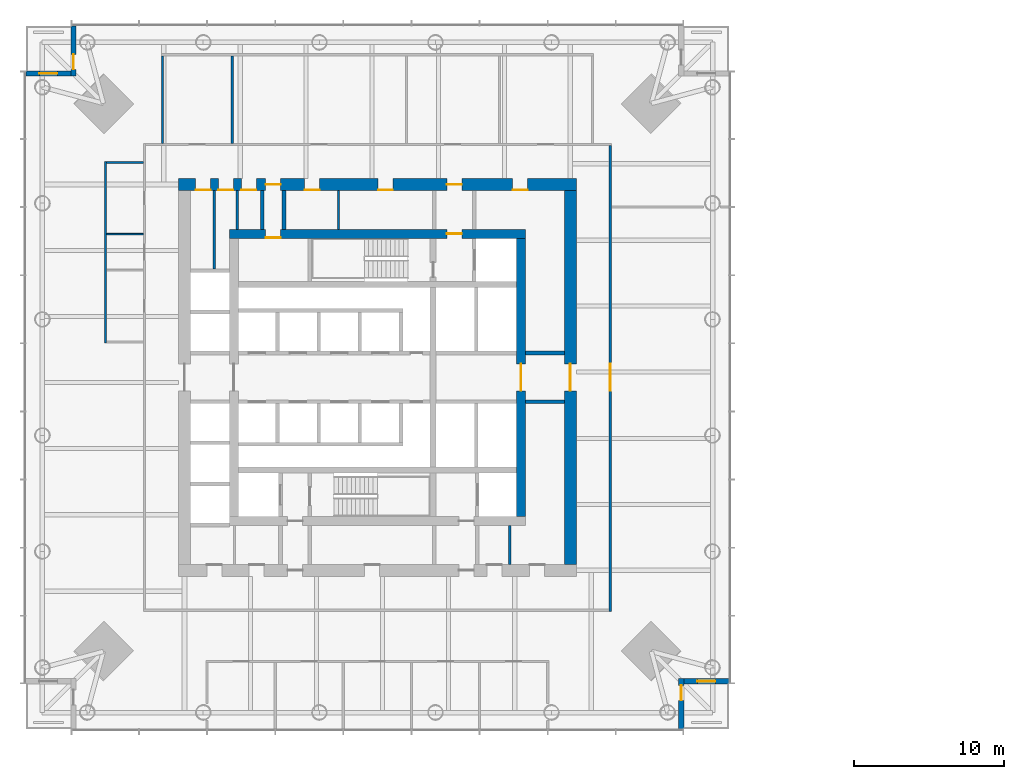
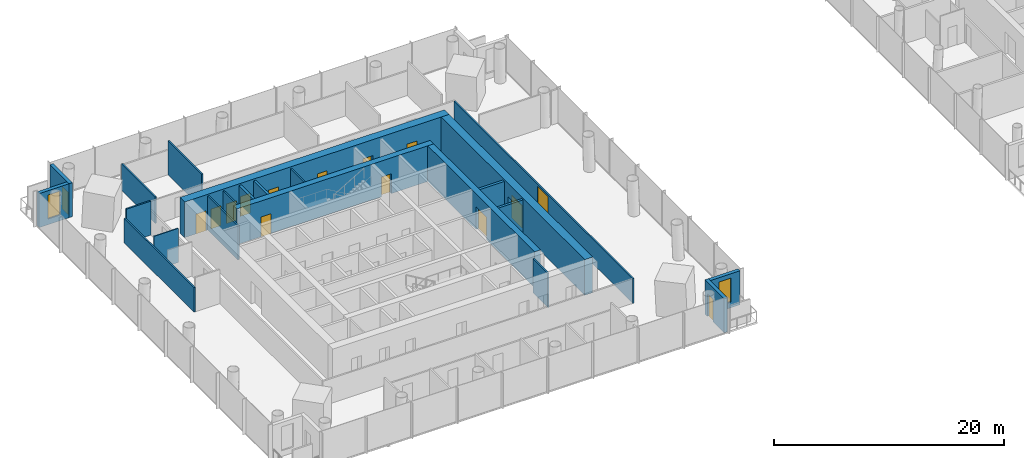
# One storey, part 10 of 18: 22 walls, 15 doors, 2 windows, 17 openings.
"""IFC4 building model written with IfcOpenShell, lengths in metres."""

from ifc_helpers import new_model, si_unit, direction, frame, frame_2d, origin, place, context, subcontext, project, spatial, rectangle, extrude, material, layer, layer_set, type_object, element, fill, save


model = new_model("IFC4")

# Units and contexts
model_context = context("Model", 3, precision=1e-05, world=origin(), true_north=direction((0.0, 1.0)))
body_context = subcontext(model_context, "Body", "Model", "MODEL_VIEW")
ifc_project = project(units=[si_unit("LENGTHUNIT", "METRE"), si_unit("AREAUNIT", "SQUARE_METRE"), si_unit("VOLUMEUNIT", "CUBIC_METRE"), si_unit("PLANEANGLEUNIT", "RADIAN"), si_unit("MASSUNIT", "GRAM", prefix="KILO")], contexts=[model_context])

# Site, building, storey
site_placement = place(None, origin())
site = spatial("IfcSite", under=ifc_project, at=site_placement, CompositionType="ELEMENT")
building_placement = place(site_placement, origin())
building = spatial("IfcBuilding", under=site, at=building_placement, Name="Ostroluk Exchange", CompositionType="ELEMENT")
storey_placement = place(building_placement, frame((0.0, 0.0, 70.39990234375)))
storey = spatial("IfcBuildingStorey", under=building, at=storey_placement, Name="L17", CompositionType="ELEMENT", Elevation=70.39990234375)

# Walls
ifc_material_1 = material(Name="Concrete blockwork", Category="masonry")
ifc_layer_1 = layer(ifc_material_1, 0.10009765625)
ifc_layer_set_1 = layer_set([ifc_layer_1], Name="Blockwork WC wall 100")
wall_type_1 = type_object("IfcWallType", Name="Blockwork WC wall 100", PredefinedType="SOLIDWALL", material=ifc_layer_set_1)
wall_1_placement = place(storey_placement, frame((29.35009765625, 55.574951171875, 0.0), z_axis=(0.0, 0.0, 1.0), x_axis=(-1.0, 0.0, 0.0)))
element("IfcWall", 1, at=wall_1_placement, inside=storey, type_object=wall_type_1, Name="Blockwork WC wall", PredefinedType="SOLIDWALL", context=body_context, shape_type="SweptSolid", body=[
    extrude(rectangle(XDim=2.4501953125, YDim=0.10009765625, at=frame_2d((1.22509765625, 0.0))), origin(), (0.0, 0.0, 1.0), 3.6201171875),
])
ifc_material_2 = material(Name="Concrete blockwork", Category="masonry")
ifc_layer_2 = layer(ifc_material_2, 0.14990234375)
ifc_layer_set_2 = layer_set([ifc_layer_2], Name="Blockwork plant room wall 150")
wall_type_2 = type_object("IfcWallType", Name="Blockwork plant room wall 150", PredefinedType="SOLIDWALL", material=ifc_layer_set_2)
wall_2_placement = place(storey_placement, frame((34.089599609375, 53.25, 0.0), z_axis=(0.0, 0.0, 1.0), x_axis=(0.0, 1.0, 0.0)))
element("IfcWall", 2, at=wall_2_placement, inside=storey, type_object=wall_type_2, Name="Core room wall", PredefinedType="SOLIDWALL", context=body_context, shape_type="SweptSolid", body=[
    extrude(rectangle(XDim=5.25, YDim=0.14990234375, at=frame_2d((2.625, 0.0))), origin(), (0.0, 0.0, 1.0), 3.6201171875),
])
for number, where, z_axis, x_axis, name in (
    (3, (35.63232421875, 55.89990234375, 0.0), (0.0, 0.0, 1.0), (0.0, 1.0, 0.0), "Core room wall"),
    (4, (42.40478515625, 55.89990234375, 0.0), (0.0, 0.0, 1.0), (0.0, 1.0, 0.0), "Core room wall"),
    (5, (53.85205078125, 33.5, 0.0), (0.0, 0.0, 1.0), (0.0, 1.0, 0.0), "Core room wall"),
):
    element("IfcWall", number, at=place(storey_placement, frame(where, z_axis=z_axis, x_axis=x_axis)), inside=storey, type_object=wall_type_2, Name=name, PredefinedType="SOLIDWALL", context=body_context, shape_type="SweptSolid", body=[
        extrude(rectangle(XDim=2.60009765625, YDim=0.14990234375, at=frame_2d((1.300048828125, 0.0))), origin(), (0.0, 0.0, 1.0), 3.6201171875),
    ])
ifc_material_3 = material(Name="Concrete blockwork", Category="masonry")
ifc_layer_3 = layer(ifc_material_3, 0.25)
ifc_layer_set_3 = layer_set([ifc_layer_3], Name="Blockwork stair enclosure wall 250")
wall_type_3 = type_object("IfcWallType", Name="Blockwork stair enclosure wall 250", PredefinedType="SOLIDWALL", material=ifc_layer_set_3)
for number, where, z_axis, x_axis, name in (
    (6, (54.89990234375, 44.375, 0.0), (0.0, 0.0, 1.0), (1.0, 0.0, 0.0), "Lift lobby enclosure wall"),
    (7, (54.89990234375, 47.625, 0.0), (0.0, 0.0, 1.0), (1.0, 0.0, 0.0), "Lift lobby enclosure wall"),
    (8, (37.300048828125, 55.89990234375, 0.0), (0.0, 0.0, 1.0), (0.0, 1.0, 0.0), "Core corridor wall"),
    (9, (38.75, 55.89990234375, 0.0), (0.0, 0.0, 1.0), (0.0, 1.0, 0.0), "Core corridor wall"),
):
    element("IfcWall", number, at=place(storey_placement, frame(where, z_axis=z_axis, x_axis=x_axis)), inside=storey, type_object=wall_type_3, Name=name, PredefinedType="SOLIDWALL", context=body_context, shape_type="SweptSolid", body=[
        extrude(rectangle(XDim=2.60009765625, YDim=0.25, at=frame_2d((1.300048828125, 0.0))), origin(), (0.0, 0.0, 1.0), 3.6201171875),
    ])

# Wall, openings, doors
ifc_material_4 = material(Name="Concrete C50/60", Category="concrete")
ifc_layer_4 = layer(ifc_material_4, 0.60009765625)
ifc_layer_set_4 = layer_set([ifc_layer_4], Name="Core wall 600 C50/60")
wall_type_4 = type_object("IfcWallType", Name="Core wall 600 C50/60", PredefinedType="SHEAR", material=ifc_layer_set_4)
wall_3_placement = place(storey_placement, frame((35.10009765625, 55.60009765625, 0.0), z_axis=(0.0, 0.0, 1.0), x_axis=(1.0, 0.0, 0.0)))
wall_3 = element("IfcWall", 10, at=wall_3_placement, inside=storey, type_object=wall_type_4, Name="T1 core wall N", PredefinedType="SHEAR", context=body_context, shape_type="SweptSolid", body=[
    extrude(rectangle(XDim=19.7998046875, YDim=0.60009765625, at=frame_2d((9.89990234375, 0.0))), origin(), (0.0, 0.0, 1.0), 3.800048828125),
])
opening_1_placement = place(wall_3_placement, frame((14.5400390625, 0.0, 0.0)))
opening_1 = element("IfcOpeningElement", 11, at=opening_1_placement, cuts=wall_3, Name="Opening FD60", PredefinedType="OPENING", context=body_context, shape_type="SweptSolid", body=[
    extrude(rectangle(XDim=1.0, YDim=2.10009765625, at=frame_2d((0.5, 1.050048828125))), frame((0.0, 0.31005859375, 0.0), z_axis=(0.0, -1.0, 0.0), x_axis=(1.0, 0.0, 0.0)), (0.0, 0.0, 1.0), 0.6201171875),
])
opening_2_placement = place(wall_3_placement, frame((2.425048828125, 0.0, 0.0)))
opening_2 = element("IfcOpeningElement", 12, at=opening_2_placement, cuts=wall_3, Name="Opening FD60", PredefinedType="OPENING", context=body_context, shape_type="SweptSolid", body=[
    extrude(rectangle(XDim=1.0, YDim=2.10009765625, at=frame_2d((0.5, 1.050048828125))), frame((0.0, 0.31005859375, 0.0), z_axis=(0.0, -1.0, 0.0), x_axis=(1.0, 0.0, 0.0)), (0.0, 0.0, 1.0), 0.6201171875),
])
ifc_material_5 = material(Name="Steel", Category="steel")
door_type_1 = type_object("IfcDoorType", Name="Fire door EI 60 1000 x 2100", OperationType="SINGLE_SWING_LEFT", PredefinedType="DOOR", material=ifc_material_5)
door_1_placement = place(opening_1_placement, origin())
door_1 = element("IfcDoor", 13, at=door_1_placement, inside=storey, type_object=door_type_1, Name="Firefighting lobby door", OperationType="SINGLE_SWING_RIGHT", OverallHeight=2.10009765625, OverallWidth=1.0, PredefinedType="DOOR", context=body_context, shape_type="SweptSolid", body=[
    extrude(rectangle(XDim=1.0, YDim=2.10009765625, at=frame_2d((0.5, 1.050048828125))), frame((0.0, 0.02490234375, 0.0), z_axis=(0.0, -1.0, 0.0), x_axis=(1.0, 0.0, 0.0)), (0.0, 0.0, 1.0), 0.050048828125),
])
fill(opening_1, door_1)
door_2_placement = place(opening_2_placement, origin())
door_2 = element("IfcDoor", 14, at=door_2_placement, inside=storey, type_object=door_type_1, Name="Tea point door", OperationType="SINGLE_SWING_LEFT", OverallHeight=2.10009765625, OverallWidth=1.0, PredefinedType="DOOR", context=body_context, shape_type="SweptSolid", body=[
    extrude(rectangle(XDim=1.0, YDim=2.10009765625, at=frame_2d((0.5, 1.050048828125))), frame((0.0, -0.23974609375, 0.0), z_axis=(0.0, -1.0, 0.0), x_axis=(1.0, 0.0, 0.0)), (0.0, 0.0, 1.0), 0.050048828125),
])
fill(opening_2, door_2)

# Wall, opening, door
wall_4_placement = place(storey_placement, frame((54.60009765625, 36.699951171875, 0.0), z_axis=(0.0, 0.0, 1.0), x_axis=(0.0, 1.0, 0.0)))
wall_4 = element("IfcWall", 15, at=wall_4_placement, inside=storey, type_object=wall_type_4, Name="T1 core wall E", PredefinedType="SHEAR", context=body_context, shape_type="SweptSolid", body=[
    extrude(rectangle(XDim=18.60009765625, YDim=0.60009765625, at=frame_2d((9.300048828125, 0.0))), origin(), (0.0, 0.0, 1.0), 3.800048828125),
])
opening_3_placement = place(wall_4_placement, frame((8.39990234375, 0.0, 0.0)))
opening_3 = element("IfcOpeningElement", 16, at=opening_3_placement, cuts=wall_4, Name="Opening FD30D", PredefinedType="OPENING", context=body_context, shape_type="SweptSolid", body=[
    extrude(rectangle(XDim=1.800048828125, YDim=2.39990234375, at=frame_2d((0.89990234375, 1.199951171875))), frame((0.0, 0.31005859375, 0.0), z_axis=(0.0, -1.0, 0.0), x_axis=(1.0, 0.0, 0.0)), (0.0, 0.0, 1.0), 0.6201171875),
])
ifc_material_6 = material(Name="Timber", Category="wood")
door_type_2 = type_object("IfcDoorType", Name="Lobby double door EI 30 1800 x 2400", OperationType="DOUBLE_DOOR_SINGLE_SWING", PredefinedType="DOOR", material=ifc_material_6)
door_3_placement = place(opening_3_placement, origin())
door_3 = element("IfcDoor", 17, at=door_3_placement, inside=storey, type_object=door_type_2, Name="Lift lobby doors", OperationType="DOUBLE_DOOR_SINGLE_SWING", OverallHeight=2.39990234375, OverallWidth=1.800048828125, PredefinedType="DOOR", context=body_context, shape_type="SweptSolid", body=[
    extrude(rectangle(XDim=1.800048828125, YDim=2.39990234375, at=frame_2d((0.89990234375, 1.199951171875))), frame((0.0, 0.02490234375, 0.0), z_axis=(0.0, -1.0, 0.0), x_axis=(1.0, 0.0, 0.0)), (0.0, 0.0, 1.0), 0.050048828125),
])
fill(opening_3, door_3)

# Wall, openings, doors
ifc_material_7 = material(Name="Concrete C50/60", Category="concrete")
ifc_layer_5 = layer(ifc_material_7, 0.800048828125)
ifc_layer_set_5 = layer_set([ifc_layer_5], Name="Core wall 800 C50/60")
wall_type_5 = type_object("IfcWallType", Name="Core wall 800 C50/60", PredefinedType="SHEAR", material=ifc_layer_set_5)
wall_5_placement = place(storey_placement, frame((31.699951171875, 58.89990234375, 0.0), z_axis=(0.0, 0.0, 1.0), x_axis=(1.0, 0.0, 0.0)))
wall_5 = element("IfcWall", 18, at=wall_5_placement, inside=storey, type_object=wall_type_5, Name="T1 core wall RN", PredefinedType="SHEAR", context=body_context, shape_type="SweptSolid", body=[
    extrude(rectangle(XDim=26.60009765625, YDim=0.800048828125, at=frame_2d((13.300048828125, 0.0))), origin(), (0.0, 0.0, 1.0), 3.800048828125),
])
opening_4_placement = place(wall_5_placement, frame((17.93994140625, 0.0, 0.0)))
opening_4 = element("IfcOpeningElement", 19, at=opening_4_placement, cuts=wall_5, Name="Opening FD60", PredefinedType="OPENING", context=body_context, shape_type="SweptSolid", body=[
    extrude(rectangle(XDim=1.0, YDim=2.10009765625, at=frame_2d((0.5, 1.050048828125))), frame((0.0, 0.409912109375, 0.0), z_axis=(0.0, -1.0, 0.0), x_axis=(1.0, 0.0, 0.0)), (0.0, 0.0, 1.0), 0.820068359375),
])
opening_5_placement = place(wall_5_placement, frame((5.824951171875, 0.0, 0.0)))
opening_5 = element("IfcOpeningElement", 20, at=opening_5_placement, cuts=wall_5, Name="Opening FD60", PredefinedType="OPENING", context=body_context, shape_type="SweptSolid", body=[
    extrude(rectangle(XDim=1.0, YDim=2.10009765625, at=frame_2d((0.5, 1.050048828125))), frame((0.0, 0.409912109375, 0.0), z_axis=(0.0, -1.0, 0.0), x_axis=(1.0, 0.0, 0.0)), (0.0, 0.0, 1.0), 0.820068359375),
])
opening_6_placement = place(wall_5_placement, frame((1.139404296875, 0.0, 0.0)))
opening_6 = element("IfcOpeningElement", 21, at=opening_6_placement, cuts=wall_5, Name="Opening FD60", PredefinedType="OPENING", context=body_context, shape_type="SweptSolid", body=[
    extrude(rectangle(XDim=1.0, YDim=2.10009765625, at=frame_2d((0.5, 1.050048828125))), frame((0.0, 0.409912109375, 0.0), z_axis=(0.0, -1.0, 0.0), x_axis=(1.0, 0.0, 0.0)), (0.0, 0.0, 1.0), 0.820068359375),
])
opening_7_placement = place(wall_5_placement, frame((2.660888671875, 0.0, 0.0)))
opening_7 = element("IfcOpeningElement", 22, at=opening_7_placement, cuts=wall_5, Name="Opening FD60", PredefinedType="OPENING", context=body_context, shape_type="SweptSolid", body=[
    extrude(rectangle(XDim=1.0, YDim=2.10009765625, at=frame_2d((0.5, 1.050048828125))), frame((0.0, 0.409912109375, 0.0), z_axis=(0.0, -1.0, 0.0), x_axis=(1.0, 0.0, 0.0)), (0.0, 0.0, 1.0), 0.820068359375),
])
opening_8_placement = place(wall_5_placement, frame((4.20361328125, 0.0, 0.0)))
opening_8 = element("IfcOpeningElement", 23, at=opening_8_placement, cuts=wall_5, Name="Opening FD60", PredefinedType="OPENING", context=body_context, shape_type="SweptSolid", body=[
    extrude(rectangle(XDim=1.0, YDim=2.10009765625, at=frame_2d((0.5, 1.050048828125))), frame((0.0, 0.409912109375, 0.0), z_axis=(0.0, -1.0, 0.0), x_axis=(1.0, 0.0, 0.0)), (0.0, 0.0, 1.0), 0.820068359375),
])
opening_9_placement = place(wall_5_placement, frame((8.43994140625, 0.0, 0.0)))
opening_9 = element("IfcOpeningElement", 24, at=opening_9_placement, cuts=wall_5, Name="Opening FD60", PredefinedType="OPENING", context=body_context, shape_type="SweptSolid", body=[
    extrude(rectangle(XDim=1.0, YDim=2.10009765625, at=frame_2d((0.5, 1.050048828125))), frame((0.0, 0.409912109375, 0.0), z_axis=(0.0, -1.0, 0.0), x_axis=(1.0, 0.0, 0.0)), (0.0, 0.0, 1.0), 0.820068359375),
])
opening_10_placement = place(wall_5_placement, frame((13.34228515625, 0.0, 0.0)))
opening_10 = element("IfcOpeningElement", 25, at=opening_10_placement, cuts=wall_5, Name="Opening FD60", PredefinedType="OPENING", context=body_context, shape_type="SweptSolid", body=[
    extrude(rectangle(XDim=1.0, YDim=2.10009765625, at=frame_2d((0.5, 1.050048828125))), frame((0.0, 0.409912109375, 0.0), z_axis=(0.0, -1.0, 0.0), x_axis=(1.0, 0.0, 0.0)), (0.0, 0.0, 1.0), 0.820068359375),
])
opening_11_placement = place(wall_5_placement, frame((22.35009765625, 0.0, 0.0)))
opening_11 = element("IfcOpeningElement", 26, at=opening_11_placement, cuts=wall_5, Name="Opening FD60", PredefinedType="OPENING", context=body_context, shape_type="SweptSolid", body=[
    extrude(rectangle(XDim=1.0, YDim=2.10009765625, at=frame_2d((0.5, 1.050048828125))), frame((0.0, 0.409912109375, 0.0), z_axis=(0.0, -1.0, 0.0), x_axis=(1.0, 0.0, 0.0)), (0.0, 0.0, 1.0), 0.820068359375),
])
door_4_placement = place(opening_4_placement, origin())
door_4 = element("IfcDoor", 27, at=door_4_placement, inside=storey, type_object=door_type_1, Name="Firefighting lobby door", OperationType="SINGLE_SWING_RIGHT", OverallHeight=2.10009765625, OverallWidth=1.0, PredefinedType="DOOR", context=body_context, shape_type="SweptSolid", body=[
    extrude(rectangle(XDim=1.0, YDim=2.10009765625, at=frame_2d((0.5, 1.050048828125))), frame((0.0, 0.02490234375, 0.0), z_axis=(0.0, -1.0, 0.0), x_axis=(1.0, 0.0, 0.0)), (0.0, 0.0, 1.0), 0.050048828125),
])
fill(opening_4, door_4)
door_5_placement = place(opening_5_placement, origin())
door_5 = element("IfcDoor", 28, at=door_5_placement, inside=storey, type_object=door_type_1, Name="Core corridor door", OperationType="SINGLE_SWING_LEFT", OverallHeight=2.10009765625, OverallWidth=1.0, PredefinedType="DOOR", context=body_context, shape_type="SweptSolid", body=[
    extrude(rectangle(XDim=1.0, YDim=2.10009765625, at=frame_2d((0.5, 1.050048828125))), frame((0.0, 0.02490234375, 0.0), z_axis=(0.0, -1.0, 0.0), x_axis=(1.0, 0.0, 0.0)), (0.0, 0.0, 1.0), 0.050048828125),
])
fill(opening_5, door_5)
door_6_placement = place(opening_6_placement, origin())
door_6 = element("IfcDoor", 29, at=door_6_placement, inside=storey, type_object=door_type_1, Name="Tenant IT room door", OperationType="SINGLE_SWING_LEFT", OverallHeight=2.10009765625, OverallWidth=1.0, PredefinedType="DOOR", context=body_context, shape_type="SweptSolid", body=[
    extrude(rectangle(XDim=1.0, YDim=2.10009765625, at=frame_2d((0.5, 1.050048828125))), frame((0.0, -0.33984375, 0.0), z_axis=(0.0, -1.0, 0.0), x_axis=(1.0, 0.0, 0.0)), (0.0, 0.0, 1.0), 0.050048828125),
])
fill(opening_6, door_6)
door_7_placement = place(opening_7_placement, origin())
door_7 = element("IfcDoor", 30, at=door_7_placement, inside=storey, type_object=door_type_1, Name="First aid room door", OperationType="SINGLE_SWING_LEFT", OverallHeight=2.10009765625, OverallWidth=1.0, PredefinedType="DOOR", context=body_context, shape_type="SweptSolid", body=[
    extrude(rectangle(XDim=1.0, YDim=2.10009765625, at=frame_2d((0.5, 1.050048828125))), frame((0.0, -0.33984375, 0.0), z_axis=(0.0, -1.0, 0.0), x_axis=(1.0, 0.0, 0.0)), (0.0, 0.0, 1.0), 0.050048828125),
])
fill(opening_7, door_7)
door_8_placement = place(opening_8_placement, origin())
door_8 = element("IfcDoor", 31, at=door_8_placement, inside=storey, type_object=door_type_1, Name="Cleaner's store door", OperationType="SINGLE_SWING_LEFT", OverallHeight=2.10009765625, OverallWidth=1.0, PredefinedType="DOOR", context=body_context, shape_type="SweptSolid", body=[
    extrude(rectangle(XDim=1.0, YDim=2.10009765625, at=frame_2d((0.5, 1.050048828125))), frame((0.0, -0.33984375, 0.0), z_axis=(0.0, -1.0, 0.0), x_axis=(1.0, 0.0, 0.0)), (0.0, 0.0, 1.0), 0.050048828125),
])
fill(opening_8, door_8)
door_9_placement = place(opening_9_placement, origin())
door_9 = element("IfcDoor", 32, at=door_9_placement, inside=storey, type_object=door_type_1, Name="Print and post room door", OperationType="SINGLE_SWING_LEFT", OverallHeight=2.10009765625, OverallWidth=1.0, PredefinedType="DOOR", context=body_context, shape_type="SweptSolid", body=[
    extrude(rectangle(XDim=1.0, YDim=2.10009765625, at=frame_2d((0.5, 1.050048828125))), frame((0.0, -0.33984375, 0.0), z_axis=(0.0, -1.0, 0.0), x_axis=(1.0, 0.0, 0.0)), (0.0, 0.0, 1.0), 0.050048828125),
])
fill(opening_9, door_9)
door_10_placement = place(opening_10_placement, origin())
door_10 = element("IfcDoor", 33, at=door_10_placement, inside=storey, type_object=door_type_1, Name="Archive door", OperationType="SINGLE_SWING_RIGHT", OverallHeight=2.10009765625, OverallWidth=1.0, PredefinedType="DOOR", context=body_context, shape_type="SweptSolid", body=[
    extrude(rectangle(XDim=1.0, YDim=2.10009765625, at=frame_2d((0.5, 1.050048828125))), frame((0.0, -0.33984375, 0.0), z_axis=(0.0, -1.0, 0.0), x_axis=(1.0, 0.0, 0.0)), (0.0, 0.0, 1.0), 0.050048828125),
])
fill(opening_10, door_10)
door_11_placement = place(opening_11_placement, origin())
door_11 = element("IfcDoor", 34, at=door_11_placement, inside=storey, type_object=door_type_1, Name="First aid room door", OperationType="SINGLE_SWING_RIGHT", OverallHeight=2.10009765625, OverallWidth=1.0, PredefinedType="DOOR", context=body_context, shape_type="SweptSolid", body=[
    extrude(rectangle(XDim=1.0, YDim=2.10009765625, at=frame_2d((0.5, 1.050048828125))), frame((0.0, -0.33984375, 0.0), z_axis=(0.0, -1.0, 0.0), x_axis=(1.0, 0.0, 0.0)), (0.0, 0.0, 1.0), 0.050048828125),
])
fill(opening_11, door_11)

# Wall, opening, door
wall_6_placement = place(storey_placement, frame((57.89990234375, 33.5, 0.0), z_axis=(0.0, 0.0, 1.0), x_axis=(0.0, 1.0, 0.0)))
wall_6 = element("IfcWall", 35, at=wall_6_placement, inside=storey, type_object=wall_type_5, Name="T1 core wall RE", PredefinedType="SHEAR", context=body_context, shape_type="SweptSolid", body=[
    extrude(rectangle(XDim=25.0, YDim=0.800048828125, at=frame_2d((12.5, 0.0))), origin(), (0.0, 0.0, 1.0), 3.800048828125),
])
opening_12_placement = place(wall_6_placement, frame((11.60009765625, 0.0, 0.0)))
opening_12 = element("IfcOpeningElement", 36, at=opening_12_placement, cuts=wall_6, Name="Opening FD30D", PredefinedType="OPENING", context=body_context, shape_type="SweptSolid", body=[
    extrude(rectangle(XDim=1.800048828125, YDim=2.39990234375, at=frame_2d((0.89990234375, 1.199951171875))), frame((0.0, 0.409912109375, 0.0), z_axis=(0.0, -1.0, 0.0), x_axis=(1.0, 0.0, 0.0)), (0.0, 0.0, 1.0), 0.820068359375),
])
door_12_placement = place(opening_12_placement, origin())
door_12 = element("IfcDoor", 37, at=door_12_placement, inside=storey, type_object=door_type_2, Name="Lift lobby doors", OperationType="DOUBLE_DOOR_SINGLE_SWING", OverallHeight=2.39990234375, OverallWidth=1.800048828125, PredefinedType="DOOR", context=body_context, shape_type="SweptSolid", body=[
    extrude(rectangle(XDim=1.800048828125, YDim=2.39990234375, at=frame_2d((0.89990234375, 1.199951171875))), frame((0.0, 0.02490234375, 0.0), z_axis=(0.0, -1.0, 0.0), x_axis=(1.0, 0.0, 0.0)), (0.0, 0.0, 1.0), 0.050048828125),
])
fill(opening_12, door_12)

ifc_material_8 = material(Name="Limestone", Category="masonry")
ifc_layer_6 = layer(ifc_material_8, 0.35009765625)
ifc_layer_set_6 = layer_set([ifc_layer_6], Name="Limestone facade wall 350")
wall_type_6 = type_object("IfcWallType", Name="Limestone facade wall 350", PredefinedType="SOLIDWALL", material=ifc_layer_set_6)
wall_7_placement = place(storey_placement, frame((65.324951171875, 22.5, 0.0), z_axis=(0.0, 0.0, 1.0), x_axis=(0.0, 1.0, 0.0)))
wall_7 = element("IfcWall", 38, at=wall_7_placement, inside=storey, type_object=wall_type_6, Name="Office tower SE corner wall L17 a", PredefinedType="SOLIDWALL", context=body_context, shape_type="SweptSolid", body=[
    extrude(rectangle(XDim=3.35009765625, YDim=0.35009765625, at=frame_2d((1.675048828125, 0.0))), origin(), (0.0, 0.0, 1.0), 3.6201171875),
])
opening_13_placement = place(wall_7_placement, frame((1.89990234375, 0.0, 0.0)))
opening_13 = element("IfcOpeningElement", 39, at=opening_13_placement, cuts=wall_7, Name="Opening D-B1", PredefinedType="OPENING", context=body_context, shape_type="SweptSolid", body=[
    extrude(rectangle(XDim=1.0, YDim=2.39990234375, at=frame_2d((0.5, 1.199951171875))), frame((0.0, 0.18505859375, 0.0), z_axis=(0.0, -1.0, 0.0), x_axis=(1.0, 0.0, 0.0)), (0.0, 0.0, 1.0), 0.3701171875),
])
ifc_material_9 = material(Name="Bronze framed glazed door", Category="aluminium")
door_type_3 = type_object("IfcDoorType", Name="Balcony door 1000 x 2400", OperationType="SINGLE_SWING_LEFT", PredefinedType="DOOR", material=ifc_material_9)
door_13_placement = place(opening_13_placement, origin())
door_13 = element("IfcDoor", 40, at=door_13_placement, inside=storey, type_object=door_type_3, Name="Office tower SE balcony door L17", OperationType="SINGLE_SWING_RIGHT", OverallHeight=2.39990234375, OverallWidth=1.0, PredefinedType="DOOR", context=body_context, shape_type="SweptSolid", body=[
    extrude(rectangle(XDim=1.0, YDim=2.39990234375, at=frame_2d((0.5, 1.199951171875))), frame((0.0, 0.02490234375, 0.0), z_axis=(0.0, -1.0, 0.0), x_axis=(1.0, 0.0, 0.0)), (0.0, 0.0, 1.0), 0.050048828125),
])
fill(opening_13, door_13)

# Wall, opening, window
wall_8_placement = place(storey_placement, frame((65.5, 25.675048828125, 0.0), z_axis=(0.0, 0.0, 1.0), x_axis=(1.0, 0.0, 0.0)))
wall_8 = element("IfcWall", 41, at=wall_8_placement, inside=storey, type_object=wall_type_6, Name="Office tower SE corner wall L17 b", PredefinedType="SOLIDWALL", context=body_context, shape_type="SweptSolid", body=[
    extrude(rectangle(XDim=3.0, YDim=0.35009765625, at=frame_2d((1.5, 0.0))), origin(), (0.0, 0.0, 1.0), 3.6201171875),
])
opening_14_placement = place(wall_8_placement, frame((0.89990234375, 0.0, 0.60009765625)))
opening_14 = element("IfcOpeningElement", 42, at=opening_14_placement, cuts=wall_8, Name="Opening WN-L1", PredefinedType="OPENING", context=body_context, shape_type="SweptSolid", body=[
    extrude(rectangle(XDim=1.199951171875, YDim=2.550048828125, at=frame_2d((0.60009765625, 1.27490234375))), frame((0.0, 0.18505859375, 0.0), z_axis=(0.0, -1.0, 0.0), x_axis=(1.0, 0.0, 0.0)), (0.0, 0.0, 1.0), 0.3701171875),
])
ifc_material_10 = material(Name="Laminated clear glass", Category="glass")
window_type = type_object("IfcWindowType", Name="Lancet window 1200 x 2550", PartitioningType="SINGLE_PANEL", PredefinedType="WINDOW", material=ifc_material_10)
window_1_placement = place(opening_14_placement, origin())
window_1 = element("IfcWindow", 43, at=window_1_placement, inside=storey, type_object=window_type, Name="Office tower SE lancet window L17", OverallHeight=2.550048828125, OverallWidth=1.199951171875, PartitioningType="SINGLE_PANEL", PredefinedType="WINDOW", context=body_context, shape_type="SweptSolid", body=[
    extrude(rectangle(XDim=1.199951171875, YDim=2.550048828125, at=frame_2d((0.60009765625, 1.27490234375))), frame((0.0, 0.030029296875, 0.0), z_axis=(0.0, -1.0, 0.0), x_axis=(1.0, 0.0, 0.0)), (0.0, 0.0, 1.0), 0.06005859375),
])
fill(opening_14, window_1)

# Wall, opening, door
wall_9_placement = place(storey_placement, frame((24.675048828125, 69.5, 0.0), z_axis=(0.0, 0.0, 1.0), x_axis=(0.0, -1.0, 0.0)))
wall_9 = element("IfcWall", 44, at=wall_9_placement, inside=storey, type_object=wall_type_6, Name="Office tower NW corner wall L17 a", PredefinedType="SOLIDWALL", context=body_context, shape_type="SweptSolid", body=[
    extrude(rectangle(XDim=3.35009765625, YDim=0.35009765625, at=frame_2d((1.675048828125, 0.0))), origin(), (0.0, 0.0, 1.0), 3.6201171875),
])
opening_15_placement = place(wall_9_placement, frame((1.89990234375, 0.0, 0.0)))
opening_15 = element("IfcOpeningElement", 45, at=opening_15_placement, cuts=wall_9, Name="Opening D-B1", PredefinedType="OPENING", context=body_context, shape_type="SweptSolid", body=[
    extrude(rectangle(XDim=1.0, YDim=2.39990234375, at=frame_2d((0.5, 1.199951171875))), frame((0.0, 0.18505859375, 0.0), z_axis=(0.0, -1.0, 0.0), x_axis=(1.0, 0.0, 0.0)), (0.0, 0.0, 1.0), 0.3701171875),
])
door_14_placement = place(opening_15_placement, origin())
door_14 = element("IfcDoor", 46, at=door_14_placement, inside=storey, type_object=door_type_3, Name="Office tower NW balcony door L17", OperationType="SINGLE_SWING_RIGHT", OverallHeight=2.39990234375, OverallWidth=1.0, PredefinedType="DOOR", context=body_context, shape_type="SweptSolid", body=[
    extrude(rectangle(XDim=1.0, YDim=2.39990234375, at=frame_2d((0.5, 1.199951171875))), frame((0.0, 0.02490234375, 0.0), z_axis=(0.0, -1.0, 0.0), x_axis=(1.0, 0.0, 0.0)), (0.0, 0.0, 1.0), 0.050048828125),
])
fill(opening_15, door_14)

# Wall, opening, window
wall_10_placement = place(storey_placement, frame((24.5, 66.324951171875, 0.0), z_axis=(0.0, 0.0, 1.0), x_axis=(-1.0, 0.0, 0.0)))
wall_10 = element("IfcWall", 47, at=wall_10_placement, inside=storey, type_object=wall_type_6, Name="Office tower NW corner wall L17 b", PredefinedType="SOLIDWALL", context=body_context, shape_type="SweptSolid", body=[
    extrude(rectangle(XDim=3.0, YDim=0.35009765625, at=frame_2d((1.5, 0.0))), origin(), (0.0, 0.0, 1.0), 3.6201171875),
])
opening_16_placement = place(wall_10_placement, frame((0.89990234375, 0.0, 0.60009765625)))
opening_16 = element("IfcOpeningElement", 48, at=opening_16_placement, cuts=wall_10, Name="Opening WN-L1", PredefinedType="OPENING", context=body_context, shape_type="SweptSolid", body=[
    extrude(rectangle(XDim=1.199951171875, YDim=2.550048828125, at=frame_2d((0.60009765625, 1.27490234375))), frame((0.0, 0.18505859375, 0.0), z_axis=(0.0, -1.0, 0.0), x_axis=(1.0, 0.0, 0.0)), (0.0, 0.0, 1.0), 0.3701171875),
])
window_2_placement = place(opening_16_placement, origin())
window_2 = element("IfcWindow", 49, at=window_2_placement, inside=storey, type_object=window_type, Name="Office tower NW lancet window L17", OverallHeight=2.550048828125, OverallWidth=1.199951171875, PartitioningType="SINGLE_PANEL", PredefinedType="WINDOW", context=body_context, shape_type="SweptSolid", body=[
    extrude(rectangle(XDim=1.199951171875, YDim=2.550048828125, at=frame_2d((0.60009765625, 1.27490234375))), frame((0.0, 0.030029296875, 0.0), z_axis=(0.0, -1.0, 0.0), x_axis=(1.0, 0.0, 0.0)), (0.0, 0.0, 1.0), 0.06005859375),
])
fill(opening_16, window_2)

# Walls
ifc_material_11 = material(Name="Gypsum plasterboard partition", Category="gypsum")
ifc_layer_7 = layer(ifc_material_11, 0.14990234375)
ifc_layer_set_7 = layer_set([ifc_layer_7], Name="Plasterboard partition 150")
wall_type_7 = type_object("IfcWallType", Name="Plasterboard partition 150", PredefinedType="PARTITIONING", material=ifc_layer_set_7)
wall_11_placement = place(storey_placement, frame((35.287109375, 61.64990234375, 0.0), z_axis=(0.0, 0.0, 1.0), x_axis=(0.0, 1.0, 0.0)))
element("IfcWall", 50, at=wall_11_placement, inside=storey, type_object=wall_type_7, Name="Partition", PredefinedType="PARTITIONING", context=body_context, shape_type="SweptSolid", body=[
    extrude(rectangle(XDim=5.85009765625, YDim=0.14990234375, at=frame_2d((2.925048828125, 0.0))), origin(), (0.0, 0.0, 1.0), 3.6201171875),
])
wall_12_placement = place(storey_placement, frame((30.625, 61.64990234375, 0.0), z_axis=(0.0, 0.0, 1.0), x_axis=(0.0, 1.0, 0.0)))
element("IfcWall", 51, at=wall_12_placement, inside=storey, type_object=wall_type_7, Name="Partition", PredefinedType="PARTITIONING", context=body_context, shape_type="SweptSolid", body=[
    extrude(rectangle(XDim=5.85009765625, YDim=0.14990234375, at=frame_2d((2.925048828125, 0.0))), origin(), (0.0, 0.0, 1.0), 2.80615234375),
])

# Wall, opening, door
wall_13_placement = place(storey_placement, frame((60.574951171875, 30.35009765625, 0.0), z_axis=(0.0, 0.0, 1.0), x_axis=(0.0, 1.0, 0.0)))
wall_13 = element("IfcWall", 52, at=wall_13_placement, inside=storey, type_object=wall_type_7, Name="Corridor wall", PredefinedType="PARTITIONING", context=body_context, shape_type="SweptSolid", body=[
    extrude(rectangle(XDim=31.14990234375, YDim=0.14990234375, at=frame_2d((15.574951171875, 0.0))), origin(), (0.0, 0.0, 1.0), 2.612060546875),
])
opening_17_placement = place(wall_13_placement, frame((14.75, 0.0, 0.0)))
opening_17 = element("IfcOpeningElement", 53, at=opening_17_placement, cuts=wall_13, Name="Opening D-04", PredefinedType="OPENING", context=body_context, shape_type="SweptSolid", body=[
    extrude(rectangle(XDim=1.800048828125, YDim=2.39990234375, at=frame_2d((0.89990234375, 1.199951171875))), frame((0.0, 0.0849609375, 0.0), z_axis=(0.0, -1.0, 0.0), x_axis=(1.0, 0.0, 0.0)), (0.0, 0.0, 1.0), 0.169921875),
])
ifc_material_12 = material(Name="Timber", Category="wood")
door_type_4 = type_object("IfcDoorType", Name="Double door 1800 x 2400", OperationType="DOUBLE_DOOR_SINGLE_SWING", PredefinedType="DOOR", material=ifc_material_12)
door_15_placement = place(opening_17_placement, origin())
door_15 = element("IfcDoor", 54, at=door_15_placement, inside=storey, type_object=door_type_4, Name="Open plan office door", OperationType="DOUBLE_DOOR_SINGLE_SWING", OverallHeight=2.39990234375, OverallWidth=1.800048828125, PredefinedType="DOOR", context=body_context, shape_type="SweptSolid", body=[
    extrude(rectangle(XDim=1.800048828125, YDim=2.39990234375, at=frame_2d((0.89990234375, 1.199951171875))), frame((0.0, 0.02490234375, 0.0), z_axis=(0.0, -1.0, 0.0), x_axis=(1.0, 0.0, 0.0)), (0.0, 0.0, 1.0), 0.050048828125),
])
fill(opening_17, door_15)

# Walls
ifc_material_13 = material(Name="Gypsum plasterboard partition, moisture resistant", Category="gypsum")
ifc_layer_8 = layer(ifc_material_13, 0.14990234375)
ifc_layer_set_8 = layer_set([ifc_layer_8], Name="Plasterboard toilet partition 150")
wall_type_8 = type_object("IfcWallType", Name="Plasterboard toilet partition 150", PredefinedType="PARTITIONING", material=ifc_layer_set_8)
wall_14_placement = place(storey_placement, frame((26.824951171875, 60.449951171875, 0.0), z_axis=(0.0, 0.0, 1.0), x_axis=(0.0, -1.0, 0.0)))
element("IfcWall", 55, at=wall_14_placement, inside=storey, type_object=wall_type_8, Name="Toilet partition", PredefinedType="PARTITIONING", context=body_context, shape_type="SweptSolid", body=[
    extrude(rectangle(XDim=12.14990234375, YDim=0.14990234375, at=frame_2d((6.074951171875, 0.0))), origin(), (0.0, 0.0, 1.0), 2.612060546875),
])
wall_15_placement = place(storey_placement, frame((29.35009765625, 60.375, 0.0), z_axis=(0.0, 0.0, 1.0), x_axis=(-1.0, 0.0, 0.0)))
element("IfcWall", 56, at=wall_15_placement, inside=storey, type_object=wall_type_8, Name="Toilet partition", PredefinedType="PARTITIONING", context=body_context, shape_type="SweptSolid", body=[
    extrude(rectangle(XDim=2.4501953125, YDim=0.14990234375, at=frame_2d((1.22509765625, 0.0))), origin(), (0.0, 0.0, 1.0), 3.6201171875),
])

save(model, "model.ifc")
